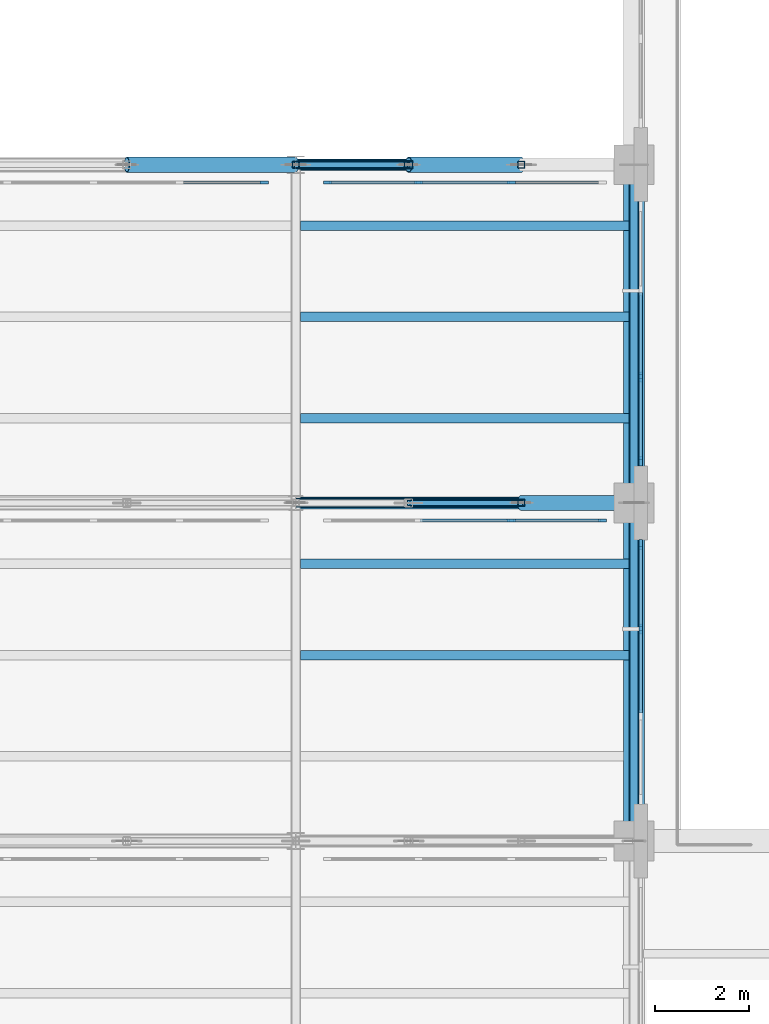
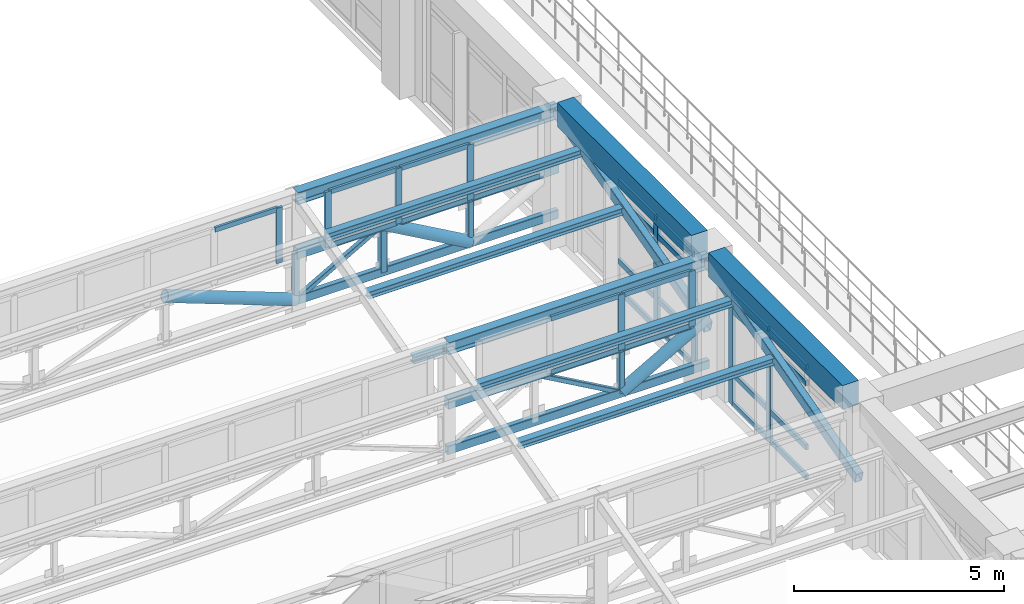
# One storey, part 35 of 98: 49 members, 11 beams, 5 elements without a shape of their own.
"""IFC4 building model written with IfcOpenShell, lengths in metres."""

from ifc_helpers import new_model, si_unit, direction, frame, origin, origin_2d, place, context, subcontext, project, spatial, rectangle, hollow_rectangle, hollow_circle, i_section, extrude, material, layer, layer_set, material_profile, profile_set, type_object, element, aggregate, save


model = new_model("IFC4")

# Units and contexts
model_context = context("Model", 3, precision=1e-05, world=origin(), true_north=direction((0.0, 1.0)))
body_context = subcontext(model_context, "Body", "Model", "MODEL_VIEW")
ifc_project = project(units=[si_unit("LENGTHUNIT", "METRE"), si_unit("AREAUNIT", "SQUARE_METRE"), si_unit("VOLUMEUNIT", "CUBIC_METRE"), si_unit("PLANEANGLEUNIT", "RADIAN"), si_unit("MASSUNIT", "GRAM", prefix="KILO")], contexts=[model_context])

# Site, building, storey
site_placement = place(None, origin())
site = spatial("IfcSite", under=ifc_project, at=site_placement, CompositionType="ELEMENT")
building_placement = place(site_placement, origin())
building = spatial("IfcBuilding", under=site, at=building_placement, Name="Solenvale Faculty of Natural Sciences", CompositionType="ELEMENT")
storey_placement = place(building_placement, frame((0.0, 0.0, 9.0)))
storey = spatial("IfcBuildingStorey", under=building, at=storey_placement, Name="L02", CompositionType="ELEMENT", Elevation=9.0)

# Beams
ifc_material_1 = material(Name="Steel S355", Category="steel")
ifc_material_profile_1 = material_profile(ifc_material_1, i_section(OverallWidth=0.202880859375, OverallDepth=0.202880859375, WebThickness=0.007080078125, FlangeThickness=0.010986328125, FilletRadius=0.010009765625, at=origin_2d()), Name="W200x46")
ifc_profile_set_1 = profile_set([ifc_material_profile_1], Name="Steel S355")
beam_type_1 = type_object("IfcBeamType", Name="BM-PRL-W200x46", PredefinedType="JOIST", material=ifc_profile_set_1)
for number, where, z_axis, x_axis, name in (
    (1, (28.89599609375, 32.760009765625, 2.781494140625), (1.0, 0.0, 0.0), (0.0, 1.0, 0.0), "V1 Sawtooth Purlin 5.2.2"),
    (2, (28.89599609375, 34.7041015625, 3.302490234375), (1.0, 0.0, 0.0), (0.0, 1.0, 0.0), "V1 Sawtooth Purlin 5.2.3"),
    (3, (28.89599609375, 37.800048828125, 2.202392578125), (1.0, 0.0, 0.0), (0.0, 1.0, 0.0), "V1 Sawtooth Purlin 6.2.1"),
    (4, (28.89599609375, 39.9599609375, 2.781494140625), (1.0, 0.0, 0.0), (0.0, 1.0, 0.0), "V1 Sawtooth Purlin 6.2.2"),
    (5, (28.89599609375, 41.904052734375, 3.302490234375), (1.0, 0.0, 0.0), (0.0, 1.0, 0.0), "V1 Sawtooth Purlin 6.2.3"),
):
    element("IfcBeam", number, at=place(storey_placement, frame(where, z_axis=z_axis, x_axis=x_axis)), inside=storey, type_object=beam_type_1, Name=name, PredefinedType="JOIST", context=body_context, shape_type="SweptSolid", body=[
        extrude(i_section(OverallWidth=0.202880859375, OverallDepth=0.202880859375, WebThickness=0.007080078125, FlangeThickness=0.010986328125, FilletRadius=0.010009765625, at=origin_2d()), origin(), (0.0, 0.0, 1.0), 7.10400390625),
    ])
ifc_material_profile_2 = material_profile(ifc_material_1, hollow_rectangle(XDim=0.202880859375, YDim=0.304931640625, WallThickness=0.0126953125, InnerFilletRadius=0.0126953125, OuterFilletRadius=0.025390625, at=origin_2d()), Name="HSS305x203x13")
ifc_profile_set_2 = profile_set([ifc_material_profile_2], Name="Steel S355")
beam_type_2 = type_object("IfcBeamType", Name="BM-RAF-HSS305", PredefinedType="BEAM", material=ifc_profile_set_2)
for number, where, z_axis, x_axis, name in (
    (6, (36.0, 28.800048828125, 1.719970703125), (0.0, 0.965901991803, 0.258907980238), (-1.0, 0.0, 0.0), "V1 Sawtooth End Rafter 5.2.E"),
    (7, (36.0, 36.0, 1.719970703125), (0.0, 0.965901991803, 0.258907980238), (-1.0, 0.0, 0.0), "V1 Sawtooth End Rafter 6.2.E"),
):
    element("IfcBeam", number, at=place(storey_placement, frame(where, z_axis=z_axis, x_axis=x_axis)), inside=storey, type_object=beam_type_2, Name=name, PredefinedType="BEAM", context=body_context, shape_type="SweptSolid", body=[
        extrude(hollow_rectangle(XDim=0.202880859375, YDim=0.304931640625, WallThickness=0.0126953125, InnerFilletRadius=0.0126953125, OuterFilletRadius=0.025390625, at=origin_2d()), origin(), (0.0, 0.0, 1.0), 7.4541015625),
    ])
ifc_material_2 = material(Name="Concrete 40 MPa", Category="concrete")
ifc_material_profile_3 = material_profile(ifc_material_2, rectangle(XDim=0.449951171875, YDim=0.699951171875, at=origin_2d()), Name="RC-BM-450x700")
ifc_profile_set_3 = profile_set([ifc_material_profile_3], Name="Concrete 40 MPa")
beam_type_3 = type_object("IfcBeamType", Name="BM-RC-450x700", PredefinedType="BEAM", material=ifc_profile_set_3)
for number, where, z_axis, x_axis, name in (
    (8, (36.0, 29.205078125, 3.8701171875), (0.0, 1.0, 0.0), (-1.0, 0.0, 0.0), "L02 Y-Girder X36.0 (28.8..36.0)"),
    (9, (36.0, 36.405029296875, 3.8701171875), (0.0, 1.0, 0.0), (-1.0, 0.0, 0.0), "L02 Y-Girder X36.0 (36.0..43.2)"),
):
    element("IfcBeam", number, at=place(storey_placement, frame(where, z_axis=z_axis, x_axis=x_axis)), inside=storey, type_object=beam_type_3, Name=name, PredefinedType="BEAM", context=body_context, shape_type="SweptSolid", body=[
        extrude(rectangle(XDim=0.449951171875, YDim=0.699951171875, at=origin_2d()), origin(), (0.0, 0.0, 1.0), 6.389892578125),
    ])
ifc_material_profile_4 = material_profile(ifc_material_1, i_section(OverallWidth=0.2548828125, OverallDepth=0.35693359375, WebThickness=0.010498046875, FlangeThickness=0.018310546875, FilletRadius=0.014892578125, at=origin_2d()), Name="W360x101")
ifc_profile_set_4 = profile_set([ifc_material_profile_4], Name="Steel S355")
beam_type_4 = type_object("IfcBeamType", Name="BM-STL-W360x101", PredefinedType="JOIST", material=ifc_profile_set_4)
for number, where, z_axis, x_axis, name in (
    (10, (28.800048828125, 36.0, 3.68896484375), (1.0, 0.0, 0.0), (0.0, 1.0, 0.0), "V1 Sawtooth Clerestory Ridge Beam 5.2"),
    (11, (28.800048828125, 43.199951171875, 3.68896484375), (1.0, 0.0, 0.0), (0.0, 1.0, 0.0), "V1 Sawtooth Clerestory Ridge Beam 6.2"),
):
    element("IfcBeam", number, at=place(storey_placement, frame(where, z_axis=z_axis, x_axis=x_axis)), inside=storey, type_object=beam_type_4, Name=name, PredefinedType="JOIST", context=body_context, shape_type="SweptSolid", body=[
        extrude(i_section(OverallWidth=0.2548828125, OverallDepth=0.35693359375, WebThickness=0.010498046875, FlangeThickness=0.018310546875, FilletRadius=0.014892578125, at=origin_2d()), origin(), (0.0, 0.0, 1.0), 7.199951171875),
    ])

# Curtain wall, members
ifc_material_3 = material(Name="Anodised bronze aluminium", Category="aluminium")
ifc_layer_1 = layer(ifc_material_3, 0.1650390625)
ifc_layer_set_1 = layer_set([ifc_layer_1], Name="Anodised bronze aluminium")
curtain_wall_type_1 = type_object("IfcCurtainWallType", Name="CW-SAW-CLR", PredefinedType="USERDEFINED", material=ifc_layer_set_1)
curtain_wall_1_placement = place(storey_placement, origin())
curtain_wall_1 = element("IfcCurtainWall", 12, at=curtain_wall_1_placement, inside=storey, type_object=curtain_wall_type_1, Name="L02 Curtain Wall SAW-V1-CW-5-2", ObjectType="NORTH LIGHT CLERESTORY", PredefinedType="USERDEFINED")
ifc_material_profile_5 = material_profile(ifc_material_3, rectangle(XDim=0.06494140625, YDim=0.175048828125, at=origin_2d()), Name="ALU-MUL-65x175")
ifc_profile_set_5 = profile_set([ifc_material_profile_5], Name="Anodised bronze aluminium")
member_type_1 = type_object("IfcMemberType", Name="CWM-ALU-65x175", PredefinedType="MULLION", material=ifc_profile_set_5)
member_1_placement = place(storey_placement, frame((35.327392578125, 35.6201171875, 2.22998046875), z_axis=(0.0, 0.0, 1.0), x_axis=(0.0, -1.0, 0.0)))
member_1 = element("IfcMember", 13, at=member_1_placement, type_object=member_type_1, Name="CW-05 mullion 1", PredefinedType="MULLION", context=body_context, shape_type="SweptSolid", body=[
    extrude(rectangle(XDim=0.06494140625, YDim=0.175048828125, at=origin_2d()), origin(), (0.0, 0.0, 1.0), 1.610107421875),
])
member_2_placement = place(storey_placement, frame((33.38671875, 35.6201171875, 2.22998046875), z_axis=(0.0, 0.0, 1.0), x_axis=(0.0, -1.0, 0.0)))
member_2 = element("IfcMember", 14, at=member_2_placement, type_object=member_type_1, Name="CW-05 mullion 2", PredefinedType="MULLION", context=body_context, shape_type="SweptSolid", body=[
    extrude(rectangle(XDim=0.06494140625, YDim=0.175048828125, at=origin_2d()), origin(), (0.0, 0.0, 1.0), 1.610107421875),
])

# Curtain wall, member
curtain_wall_2_placement = place(storey_placement, origin())
curtain_wall_2 = element("IfcCurtainWall", 15, at=curtain_wall_2_placement, inside=storey, type_object=curtain_wall_type_1, Name="L02 Curtain Wall SAW-V1-CW-6-1", ObjectType="NORTH LIGHT CLERESTORY", PredefinedType="USERDEFINED")
member_3_placement = place(storey_placement, frame((28.12744140625, 42.820068359375, 2.22998046875), z_axis=(0.0, 0.0, 1.0), x_axis=(0.0, -1.0, 0.0)))
member_3 = element("IfcMember", 16, at=member_3_placement, type_object=member_type_1, Name="CW-05 mullion 1", PredefinedType="MULLION", context=body_context, shape_type="SweptSolid", body=[
    extrude(rectangle(XDim=0.06494140625, YDim=0.175048828125, at=origin_2d()), origin(), (0.0, 0.0, 1.0), 1.610107421875),
])

# Curtain wall, members
curtain_wall_3_placement = place(storey_placement, origin())
curtain_wall_3 = element("IfcCurtainWall", 17, at=curtain_wall_3_placement, inside=storey, type_object=curtain_wall_type_1, Name="L02 Curtain Wall SAW-V1-CW-6-2", ObjectType="NORTH LIGHT CLERESTORY", PredefinedType="USERDEFINED")
member_4_placement = place(storey_placement, frame((33.38671875, 42.820068359375, 2.22998046875), z_axis=(0.0, 0.0, 1.0), x_axis=(0.0, -1.0, 0.0)))
member_4 = element("IfcMember", 18, at=member_4_placement, type_object=member_type_1, Name="CW-05 mullion 2", PredefinedType="MULLION", context=body_context, shape_type="SweptSolid", body=[
    extrude(rectangle(XDim=0.06494140625, YDim=0.175048828125, at=origin_2d()), origin(), (0.0, 0.0, 1.0), 1.610107421875),
])
member_5_placement = place(storey_placement, frame((31.413330078125, 42.820068359375, 2.22998046875), z_axis=(0.0, 0.0, 1.0), x_axis=(0.0, -1.0, 0.0)))
member_5 = element("IfcMember", 19, at=member_5_placement, type_object=member_type_1, Name="CW-05 mullion 3", PredefinedType="MULLION", context=body_context, shape_type="SweptSolid", body=[
    extrude(rectangle(XDim=0.06494140625, YDim=0.175048828125, at=origin_2d()), origin(), (0.0, 0.0, 1.0), 1.610107421875),
])
member_6_placement = place(storey_placement, frame((29.472412109375, 42.820068359375, 2.22998046875), z_axis=(0.0, 0.0, 1.0), x_axis=(0.0, -1.0, 0.0)))
member_6 = element("IfcMember", 20, at=member_6_placement, type_object=member_type_1, Name="CW-05 mullion 4", PredefinedType="MULLION", context=body_context, shape_type="SweptSolid", body=[
    extrude(rectangle(XDim=0.06494140625, YDim=0.175048828125, at=origin_2d()), origin(), (0.0, 0.0, 1.0), 1.610107421875),
])

ifc_layer_2 = layer(ifc_material_3, 0.215087890625)
ifc_layer_set_2 = layer_set([ifc_layer_2], Name="Anodised bronze aluminium")
curtain_wall_type_2 = type_object("IfcCurtainWallType", Name="CW-ATR-UNIT", PredefinedType="USERDEFINED", material=ifc_layer_set_2)
curtain_wall_4_placement = place(storey_placement, origin())
curtain_wall_4 = element("IfcCurtainWall", 21, at=curtain_wall_4_placement, inside=storey, type_object=curtain_wall_type_2, Name="L02 Curtain Wall CW-L02-P1-E9-B8", ObjectType="UNITISED CURTAIN WALL", PredefinedType="USERDEFINED")
ifc_material_profile_6 = material_profile(ifc_material_3, rectangle(XDim=0.074951171875, YDim=0.2099609375, at=origin_2d()), Name="ALU-MUL-75x210")
ifc_profile_set_6 = profile_set([ifc_material_profile_6], Name="Anodised bronze aluminium")
member_type_2 = type_object("IfcMemberType", Name="CWM-ALU-75x210", PredefinedType="MULLION", material=ifc_profile_set_6)
member_7_placement = place(storey_placement, frame((36.142578125, 38.683349609375, 0.0), z_axis=(0.0, 0.0, 1.0), x_axis=(1.0, 0.0, 0.0)))
member_7 = element("IfcMember", 22, at=member_7_placement, type_object=member_type_2, Name="CW-01 mullion 3", PredefinedType="MULLION", context=body_context, shape_type="SweptSolid", body=[
    extrude(rectangle(XDim=0.074951171875, YDim=0.2099609375, at=origin_2d()), origin(), (0.0, 0.0, 1.0), 3.260009765625),
])
member_8_placement = place(storey_placement, frame((36.142578125, 36.887451171875, 0.0), z_axis=(0.0, 0.0, 1.0), x_axis=(1.0, 0.0, 0.0)))
member_8 = element("IfcMember", 23, at=member_8_placement, type_object=member_type_2, Name="CW-01 mullion 4", PredefinedType="MULLION", context=body_context, shape_type="SweptSolid", body=[
    extrude(rectangle(XDim=0.074951171875, YDim=0.2099609375, at=origin_2d()), origin(), (0.0, 0.0, 1.0), 3.260009765625),
])

curtain_wall_5_placement = place(storey_placement, origin())
curtain_wall_5 = element("IfcCurtainWall", 24, at=curtain_wall_5_placement, inside=storey, type_object=curtain_wall_type_2, Name="L02 Curtain Wall CW-L02-P1-E9-B9", ObjectType="UNITISED CURTAIN WALL", PredefinedType="USERDEFINED")
member_9_placement = place(storey_placement, frame((36.142578125, 35.112548828125, 0.0), z_axis=(0.0, 0.0, 1.0), x_axis=(1.0, 0.0, 0.0)))
member_9 = element("IfcMember", 25, at=member_9_placement, type_object=member_type_2, Name="CW-01 mullion 1", PredefinedType="MULLION", context=body_context, shape_type="SweptSolid", body=[
    extrude(rectangle(XDim=0.074951171875, YDim=0.2099609375, at=origin_2d()), origin(), (0.0, 0.0, 1.0), 3.260009765625),
])
member_10_placement = place(storey_placement, frame((36.142578125, 33.316650390625, 0.0), z_axis=(0.0, 0.0, 1.0), x_axis=(1.0, 0.0, 0.0)))
member_10 = element("IfcMember", 26, at=member_10_placement, type_object=member_type_2, Name="CW-01 mullion 2", PredefinedType="MULLION", context=body_context, shape_type="SweptSolid", body=[
    extrude(rectangle(XDim=0.074951171875, YDim=0.2099609375, at=origin_2d()), origin(), (0.0, 0.0, 1.0), 3.260009765625),
])

# Member
ifc_material_profile_7 = material_profile(ifc_material_3, rectangle(XDim=0.06494140625, YDim=0.135009765625, at=origin_2d()), Name="ALU-TRN-65x135")
ifc_profile_set_7 = profile_set([ifc_material_profile_7], Name="Anodised bronze aluminium")
member_type_3 = type_object("IfcMemberType", Name="CWT-ALU-65x135", PredefinedType="USERDEFINED", material=ifc_profile_set_7)
member_11_placement = place(storey_placement, frame((35.294921875, 35.6201171875, 2.262451171875), z_axis=(-1.0, 0.0, 0.0), x_axis=(0.0, -1.0, 0.0)))
member_11 = element("IfcMember", 27, at=member_11_placement, type_object=member_type_3, Name="CW-05 transom 1.1", ObjectType="TRANSOM", PredefinedType="USERDEFINED", context=body_context, shape_type="SweptSolid", body=[
    extrude(rectangle(XDim=0.06494140625, YDim=0.135009765625, at=origin_2d()), origin(), (0.0, 0.0, 1.0), 1.875732421875),
])

member_12_placement = place(storey_placement, frame((35.294921875, 35.6201171875, 3.8076171875), z_axis=(-1.0, 0.0, 0.0), x_axis=(0.0, -1.0, 0.0)))
member_12 = element("IfcMember", 28, at=member_12_placement, type_object=member_type_3, Name="CW-05 transom 1.2", ObjectType="TRANSOM", PredefinedType="USERDEFINED", context=body_context, shape_type="SweptSolid", body=[
    extrude(rectangle(XDim=0.06494140625, YDim=0.135009765625, at=origin_2d()), origin(), (0.0, 0.0, 1.0), 1.875732421875),
])

member_13_placement = place(storey_placement, frame((33.354248046875, 35.6201171875, 2.262451171875), z_axis=(-1.0, 0.0, 0.0), x_axis=(0.0, -1.0, 0.0)))
member_13 = element("IfcMember", 29, at=member_13_placement, type_object=member_type_3, Name="CW-05 transom 2.1", ObjectType="TRANSOM", PredefinedType="USERDEFINED", context=body_context, shape_type="SweptSolid", body=[
    extrude(rectangle(XDim=0.06494140625, YDim=0.135009765625, at=origin_2d()), origin(), (0.0, 0.0, 1.0), 1.908447265625),
])

member_14_placement = place(storey_placement, frame((33.354248046875, 35.6201171875, 3.8076171875), z_axis=(-1.0, 0.0, 0.0), x_axis=(0.0, -1.0, 0.0)))
member_14 = element("IfcMember", 30, at=member_14_placement, type_object=member_type_3, Name="CW-05 transom 2.2", ObjectType="TRANSOM", PredefinedType="USERDEFINED", context=body_context, shape_type="SweptSolid", body=[
    extrude(rectangle(XDim=0.06494140625, YDim=0.135009765625, at=origin_2d()), origin(), (0.0, 0.0, 1.0), 1.908447265625),
])

aggregate(curtain_wall_1, [member_1, member_2, member_11, member_12, member_13, member_14])

member_15_placement = place(storey_placement, frame((28.094970703125, 42.820068359375, 3.8076171875), z_axis=(-1.0, 0.0, 0.0), x_axis=(0.0, -1.0, 0.0)))
member_15 = element("IfcMember", 31, at=member_15_placement, type_object=member_type_3, Name="CW-05 transom 1.2", ObjectType="TRANSOM", PredefinedType="USERDEFINED", context=body_context, shape_type="SweptSolid", body=[
    extrude(rectangle(XDim=0.06494140625, YDim=0.135009765625, at=origin_2d()), origin(), (0.0, 0.0, 1.0), 1.737060546875),
])

aggregate(curtain_wall_2, [member_3, member_15])

member_16_placement = place(storey_placement, frame((35.294921875, 42.820068359375, 2.262451171875), z_axis=(-1.0, 0.0, 0.0), x_axis=(0.0, -1.0, 0.0)))
member_16 = element("IfcMember", 32, at=member_16_placement, type_object=member_type_3, Name="CW-05 transom 1.1", ObjectType="TRANSOM", PredefinedType="USERDEFINED", context=body_context, shape_type="SweptSolid", body=[
    extrude(rectangle(XDim=0.06494140625, YDim=0.135009765625, at=origin_2d()), origin(), (0.0, 0.0, 1.0), 1.875732421875),
])

member_17_placement = place(storey_placement, frame((33.354248046875, 42.820068359375, 2.262451171875), z_axis=(-1.0, 0.0, 0.0), x_axis=(0.0, -1.0, 0.0)))
member_17 = element("IfcMember", 33, at=member_17_placement, type_object=member_type_3, Name="CW-05 transom 2.1", ObjectType="TRANSOM", PredefinedType="USERDEFINED", context=body_context, shape_type="SweptSolid", body=[
    extrude(rectangle(XDim=0.06494140625, YDim=0.135009765625, at=origin_2d()), origin(), (0.0, 0.0, 1.0), 1.908447265625),
])

member_18_placement = place(storey_placement, frame((33.354248046875, 42.820068359375, 3.8076171875), z_axis=(-1.0, 0.0, 0.0), x_axis=(0.0, -1.0, 0.0)))
member_18 = element("IfcMember", 34, at=member_18_placement, type_object=member_type_3, Name="CW-05 transom 2.2", ObjectType="TRANSOM", PredefinedType="USERDEFINED", context=body_context, shape_type="SweptSolid", body=[
    extrude(rectangle(XDim=0.06494140625, YDim=0.135009765625, at=origin_2d()), origin(), (0.0, 0.0, 1.0), 1.908447265625),
])

member_19_placement = place(storey_placement, frame((31.380859375, 42.820068359375, 2.262451171875), z_axis=(-1.0, 0.0, 0.0), x_axis=(0.0, -1.0, 0.0)))
member_19 = element("IfcMember", 35, at=member_19_placement, type_object=member_type_3, Name="CW-05 transom 3.1", ObjectType="TRANSOM", PredefinedType="USERDEFINED", context=body_context, shape_type="SweptSolid", body=[
    extrude(rectangle(XDim=0.06494140625, YDim=0.135009765625, at=origin_2d()), origin(), (0.0, 0.0, 1.0), 1.8759765625),
])

member_20_placement = place(storey_placement, frame((31.380859375, 42.820068359375, 3.8076171875), z_axis=(-1.0, 0.0, 0.0), x_axis=(0.0, -1.0, 0.0)))
member_20 = element("IfcMember", 36, at=member_20_placement, type_object=member_type_3, Name="CW-05 transom 3.2", ObjectType="TRANSOM", PredefinedType="USERDEFINED", context=body_context, shape_type="SweptSolid", body=[
    extrude(rectangle(XDim=0.06494140625, YDim=0.135009765625, at=origin_2d()), origin(), (0.0, 0.0, 1.0), 1.8759765625),
])

aggregate(curtain_wall_3, [member_4, member_5, member_6, member_16, member_17, member_18, member_19, member_20])

ifc_material_profile_8 = material_profile(ifc_material_3, rectangle(XDim=0.074951171875, YDim=0.155029296875, at=origin_2d()), Name="ALU-TRN-75x155")
ifc_profile_set_8 = profile_set([ifc_material_profile_8], Name="Anodised bronze aluminium")
member_type_4 = type_object("IfcMemberType", Name="CWT-ALU-75x155", PredefinedType="USERDEFINED", material=ifc_profile_set_8)
member_21_placement = place(storey_placement, frame((36.142578125, 40.479248046875, 0.03759765625), z_axis=(0.0, -1.0, 0.0), x_axis=(1.0, 0.0, 0.0)))
member_21 = element("IfcMember", 37, at=member_21_placement, type_object=member_type_4, Name="CW-01 transom 2.1", ObjectType="TRANSOM", PredefinedType="USERDEFINED", context=body_context, shape_type="SweptSolid", body=[
    extrude(rectangle(XDim=0.074951171875, YDim=0.155029296875, at=origin_2d()), origin(), (0.0, 0.0, 1.0), 1.75830078125),
])

member_22_placement = place(storey_placement, frame((36.142578125, 40.479248046875, 0.89990234375), z_axis=(0.0, -1.0, 0.0), x_axis=(1.0, 0.0, 0.0)))
member_22 = element("IfcMember", 38, at=member_22_placement, type_object=member_type_4, Name="CW-01 transom 2.2", ObjectType="TRANSOM", PredefinedType="USERDEFINED", context=body_context, shape_type="SweptSolid", body=[
    extrude(rectangle(XDim=0.074951171875, YDim=0.155029296875, at=origin_2d()), origin(), (0.0, 0.0, 1.0), 1.75830078125),
])

member_23_placement = place(storey_placement, frame((36.142578125, 40.479248046875, 2.760009765625), z_axis=(0.0, -1.0, 0.0), x_axis=(1.0, 0.0, 0.0)))
member_23 = element("IfcMember", 39, at=member_23_placement, type_object=member_type_4, Name="CW-01 transom 2.3", ObjectType="TRANSOM", PredefinedType="USERDEFINED", context=body_context, shape_type="SweptSolid", body=[
    extrude(rectangle(XDim=0.074951171875, YDim=0.155029296875, at=origin_2d()), origin(), (0.0, 0.0, 1.0), 1.75830078125),
])

member_24_placement = place(storey_placement, frame((36.142578125, 40.479248046875, 3.222412109375), z_axis=(0.0, -1.0, 0.0), x_axis=(1.0, 0.0, 0.0)))
member_24 = element("IfcMember", 40, at=member_24_placement, type_object=member_type_4, Name="CW-01 transom 2.4", ObjectType="TRANSOM", PredefinedType="USERDEFINED", context=body_context, shape_type="SweptSolid", body=[
    extrude(rectangle(XDim=0.074951171875, YDim=0.155029296875, at=origin_2d()), origin(), (0.0, 0.0, 1.0), 1.75830078125),
])

member_25_placement = place(storey_placement, frame((36.142578125, 38.645751953125, 0.03759765625), z_axis=(0.0, -1.0, 0.0), x_axis=(1.0, 0.0, 0.0)))
member_25 = element("IfcMember", 41, at=member_25_placement, type_object=member_type_4, Name="CW-01 transom 3.1", ObjectType="TRANSOM", PredefinedType="USERDEFINED", context=body_context, shape_type="SweptSolid", body=[
    extrude(rectangle(XDim=0.074951171875, YDim=0.155029296875, at=origin_2d()), origin(), (0.0, 0.0, 1.0), 1.720703125),
])

member_26_placement = place(storey_placement, frame((36.142578125, 38.645751953125, 0.89990234375), z_axis=(0.0, -1.0, 0.0), x_axis=(1.0, 0.0, 0.0)))
member_26 = element("IfcMember", 42, at=member_26_placement, type_object=member_type_4, Name="CW-01 transom 3.2", ObjectType="TRANSOM", PredefinedType="USERDEFINED", context=body_context, shape_type="SweptSolid", body=[
    extrude(rectangle(XDim=0.074951171875, YDim=0.155029296875, at=origin_2d()), origin(), (0.0, 0.0, 1.0), 1.720703125),
])

member_27_placement = place(storey_placement, frame((36.142578125, 38.645751953125, 2.760009765625), z_axis=(0.0, -1.0, 0.0), x_axis=(1.0, 0.0, 0.0)))
member_27 = element("IfcMember", 43, at=member_27_placement, type_object=member_type_4, Name="CW-01 transom 3.3", ObjectType="TRANSOM", PredefinedType="USERDEFINED", context=body_context, shape_type="SweptSolid", body=[
    extrude(rectangle(XDim=0.074951171875, YDim=0.155029296875, at=origin_2d()), origin(), (0.0, 0.0, 1.0), 1.720703125),
])

member_28_placement = place(storey_placement, frame((36.142578125, 38.645751953125, 3.222412109375), z_axis=(0.0, -1.0, 0.0), x_axis=(1.0, 0.0, 0.0)))
member_28 = element("IfcMember", 44, at=member_28_placement, type_object=member_type_4, Name="CW-01 transom 3.4", ObjectType="TRANSOM", PredefinedType="USERDEFINED", context=body_context, shape_type="SweptSolid", body=[
    extrude(rectangle(XDim=0.074951171875, YDim=0.155029296875, at=origin_2d()), origin(), (0.0, 0.0, 1.0), 1.720703125),
])

aggregate(curtain_wall_4, [member_7, member_8, member_21, member_22, member_23, member_24, member_25, member_26, member_27, member_28])

member_29_placement = place(storey_placement, frame((36.142578125, 35.074951171875, 0.03759765625), z_axis=(0.0, -1.0, 0.0), x_axis=(1.0, 0.0, 0.0)))
member_29 = element("IfcMember", 45, at=member_29_placement, type_object=member_type_4, Name="CW-01 transom 1.1", ObjectType="TRANSOM", PredefinedType="USERDEFINED", context=body_context, shape_type="SweptSolid", body=[
    extrude(rectangle(XDim=0.074951171875, YDim=0.155029296875, at=origin_2d()), origin(), (0.0, 0.0, 1.0), 1.720703125),
])

member_30_placement = place(storey_placement, frame((36.142578125, 35.074951171875, 0.89990234375), z_axis=(0.0, -1.0, 0.0), x_axis=(1.0, 0.0, 0.0)))
member_30 = element("IfcMember", 46, at=member_30_placement, type_object=member_type_4, Name="CW-01 transom 1.2", ObjectType="TRANSOM", PredefinedType="USERDEFINED", context=body_context, shape_type="SweptSolid", body=[
    extrude(rectangle(XDim=0.074951171875, YDim=0.155029296875, at=origin_2d()), origin(), (0.0, 0.0, 1.0), 1.720703125),
])

member_31_placement = place(storey_placement, frame((36.142578125, 35.074951171875, 2.760009765625), z_axis=(0.0, -1.0, 0.0), x_axis=(1.0, 0.0, 0.0)))
member_31 = element("IfcMember", 47, at=member_31_placement, type_object=member_type_4, Name="CW-01 transom 1.3", ObjectType="TRANSOM", PredefinedType="USERDEFINED", context=body_context, shape_type="SweptSolid", body=[
    extrude(rectangle(XDim=0.074951171875, YDim=0.155029296875, at=origin_2d()), origin(), (0.0, 0.0, 1.0), 1.720703125),
])

member_32_placement = place(storey_placement, frame((36.142578125, 35.074951171875, 3.222412109375), z_axis=(0.0, -1.0, 0.0), x_axis=(1.0, 0.0, 0.0)))
member_32 = element("IfcMember", 48, at=member_32_placement, type_object=member_type_4, Name="CW-01 transom 1.4", ObjectType="TRANSOM", PredefinedType="USERDEFINED", context=body_context, shape_type="SweptSolid", body=[
    extrude(rectangle(XDim=0.074951171875, YDim=0.155029296875, at=origin_2d()), origin(), (0.0, 0.0, 1.0), 1.720703125),
])

member_33_placement = place(storey_placement, frame((36.142578125, 33.279052734375, 0.03759765625), z_axis=(0.0, -1.0, 0.0), x_axis=(1.0, 0.0, 0.0)))
member_33 = element("IfcMember", 49, at=member_33_placement, type_object=member_type_4, Name="CW-01 transom 2.1", ObjectType="TRANSOM", PredefinedType="USERDEFINED", context=body_context, shape_type="SweptSolid", body=[
    extrude(rectangle(XDim=0.074951171875, YDim=0.155029296875, at=origin_2d()), origin(), (0.0, 0.0, 1.0), 1.75830078125),
])

member_34_placement = place(storey_placement, frame((36.142578125, 33.279052734375, 0.89990234375), z_axis=(0.0, -1.0, 0.0), x_axis=(1.0, 0.0, 0.0)))
member_34 = element("IfcMember", 50, at=member_34_placement, type_object=member_type_4, Name="CW-01 transom 2.2", ObjectType="TRANSOM", PredefinedType="USERDEFINED", context=body_context, shape_type="SweptSolid", body=[
    extrude(rectangle(XDim=0.074951171875, YDim=0.155029296875, at=origin_2d()), origin(), (0.0, 0.0, 1.0), 1.75830078125),
])

member_35_placement = place(storey_placement, frame((36.142578125, 33.279052734375, 2.760009765625), z_axis=(0.0, -1.0, 0.0), x_axis=(1.0, 0.0, 0.0)))
member_35 = element("IfcMember", 51, at=member_35_placement, type_object=member_type_4, Name="CW-01 transom 2.3", ObjectType="TRANSOM", PredefinedType="USERDEFINED", context=body_context, shape_type="SweptSolid", body=[
    extrude(rectangle(XDim=0.074951171875, YDim=0.155029296875, at=origin_2d()), origin(), (0.0, 0.0, 1.0), 1.75830078125),
])

member_36_placement = place(storey_placement, frame((36.142578125, 33.279052734375, 3.222412109375), z_axis=(0.0, -1.0, 0.0), x_axis=(1.0, 0.0, 0.0)))
member_36 = element("IfcMember", 52, at=member_36_placement, type_object=member_type_4, Name="CW-01 transom 2.4", ObjectType="TRANSOM", PredefinedType="USERDEFINED", context=body_context, shape_type="SweptSolid", body=[
    extrude(rectangle(XDim=0.074951171875, YDim=0.155029296875, at=origin_2d()), origin(), (0.0, 0.0, 1.0), 1.75830078125),
])

aggregate(curtain_wall_5, [member_9, member_10, member_29, member_30, member_31, member_32, member_33, member_34, member_35, member_36])

# Members
ifc_material_profile_9 = material_profile(ifc_material_1, hollow_circle(Radius=0.161865234375, WallThickness=0.0126953125, at=origin_2d()), Name="HSS324x13")
ifc_profile_set_9 = profile_set([ifc_material_profile_9], Name="Steel S355")
member_type_5 = type_object("IfcMemberType", Name="MB-BRC-CHS324", PredefinedType="BRACE", material=ifc_profile_set_9)
member_37_placement = place(storey_placement, frame((33.60009765625, 36.0, 0.68994140625), z_axis=(0.869996876503, 0.0, 0.493057232859), x_axis=(0.0, 1.0, 0.0)))
element("IfcMember", 53, at=member_37_placement, inside=storey, type_object=member_type_5, Name="V1 Truss 5.2 Diagonal 3", PredefinedType="BRACE", context=body_context, shape_type="SweptSolid", body=[
    extrude(hollow_circle(Radius=0.161865234375, WallThickness=0.0126953125, at=origin_2d()), origin(), (0.0, 0.0, 1.0), 2.758544921875),
])
member_38_placement = place(storey_placement, frame((25.199951171875, 43.199951171875, 2.050048828125), z_axis=(0.935466034784, 0.0, -0.353416606522), x_axis=(0.0, 1.0, 0.0)))
element("IfcMember", 54, at=member_38_placement, inside=storey, type_object=member_type_5, Name="V1 Truss 6.1 Diagonal 8", PredefinedType="BRACE", context=body_context, shape_type="SweptSolid", body=[
    extrude(hollow_circle(Radius=0.161865234375, WallThickness=0.0126953125, at=origin_2d()), origin(), (0.0, 0.0, 1.0), 3.848388671875),
])
member_39_placement = place(storey_placement, frame((31.199951171875, 43.199951171875, 2.050048828125), z_axis=(0.870018389885, 0.0, -0.49301927068), x_axis=(0.0, 1.0, 0.0)))
element("IfcMember", 55, at=member_39_placement, inside=storey, type_object=member_type_5, Name="V1 Truss 6.2 Diagonal 2", PredefinedType="BRACE", context=body_context, shape_type="SweptSolid", body=[
    extrude(hollow_circle(Radius=0.161865234375, WallThickness=0.0126953125, at=origin_2d()), origin(), (0.0, 0.0, 1.0), 2.7587890625),
])
ifc_material_profile_10 = material_profile(ifc_material_1, hollow_rectangle(XDim=0.126953125, YDim=0.126953125, WallThickness=0.008056640625, InnerFilletRadius=0.008056640625, OuterFilletRadius=0.01611328125, at=origin_2d()), Name="HSS127x127x8.0")
ifc_profile_set_10 = profile_set([ifc_material_profile_10], Name="Steel S355")
member_type_6 = type_object("IfcMemberType", Name="MB-BRC-HSS127", PredefinedType="BRACE", material=ifc_profile_set_10)
member_40_placement = place(storey_placement, frame((31.199951171875, 36.0, 2.050048828125), z_axis=(0.870018389885, 0.0, -0.49301927068), x_axis=(0.0, 1.0, 0.0)))
element("IfcMember", 56, at=member_40_placement, inside=storey, type_object=member_type_6, Name="V1 Truss 5.2 Diagonal 2", PredefinedType="BRACE", context=body_context, shape_type="SweptSolid", body=[
    extrude(hollow_rectangle(XDim=0.126953125, YDim=0.126953125, WallThickness=0.008056640625, InnerFilletRadius=0.008056640625, OuterFilletRadius=0.01611328125, at=origin_2d()), origin(), (0.0, 0.0, 1.0), 2.7587890625),
])
member_41_placement = place(storey_placement, frame((28.800048828125, 43.199951171875, 0.68994140625), z_axis=(0.869996876503, 0.0, 0.493057232859), x_axis=(0.0, 1.0, 0.0)))
element("IfcMember", 57, at=member_41_placement, inside=storey, type_object=member_type_6, Name="V1 Truss 6.2 Diagonal 1", PredefinedType="BRACE", context=body_context, shape_type="SweptSolid", body=[
    extrude(hollow_rectangle(XDim=0.126953125, YDim=0.126953125, WallThickness=0.008056640625, InnerFilletRadius=0.008056640625, OuterFilletRadius=0.01611328125, at=origin_2d()), origin(), (0.0, 0.0, 1.0), 2.758544921875),
])
ifc_material_profile_11 = material_profile(ifc_material_1, hollow_rectangle(XDim=0.152099609375, YDim=0.25390625, WallThickness=0.010986328125, InnerFilletRadius=0.010986328125, OuterFilletRadius=0.022216796875, at=origin_2d()), Name="HSS254x152x11")
ifc_profile_set_11 = profile_set([ifc_material_profile_11], Name="Steel S355")
member_type_7 = type_object("IfcMemberType", Name="MB-CHD-HSS254", PredefinedType="CHORD", material=ifc_profile_set_11)
for number, where, z_axis, x_axis, name in (
    (58, (28.800048828125, 36.0, 0.68994140625), (1.0, 0.0, 0.0), (0.0, 1.0, 0.0), "V1 Truss 5.2 Bottom Chord"),
    (59, (28.800048828125, 43.199951171875, 0.68994140625), (1.0, 0.0, 0.0), (0.0, 1.0, 0.0), "V1 Truss 6.2 Bottom Chord"),
):
    element("IfcMember", number, at=place(storey_placement, frame(where, z_axis=z_axis, x_axis=x_axis)), inside=storey, type_object=member_type_7, Name=name, PredefinedType="CHORD", context=body_context, shape_type="SweptSolid", body=[
        extrude(hollow_rectangle(XDim=0.152099609375, YDim=0.25390625, WallThickness=0.010986328125, InnerFilletRadius=0.010986328125, OuterFilletRadius=0.022216796875, at=origin_2d()), origin(), (0.0, 0.0, 1.0), 7.199951171875),
    ])
ifc_material_profile_12 = material_profile(ifc_material_1, hollow_rectangle(XDim=0.202880859375, YDim=0.304931640625, WallThickness=0.0126953125, InnerFilletRadius=0.0126953125, OuterFilletRadius=0.025390625, at=origin_2d()), Name="HSS305x203x13")
ifc_profile_set_12 = profile_set([ifc_material_profile_12], Name="Steel S355")
member_type_8 = type_object("IfcMemberType", Name="MB-CHD-HSS305", PredefinedType="CHORD", material=ifc_profile_set_12)
for number, where, z_axis, x_axis, name in (
    (60, (28.800048828125, 36.0, 2.050048828125), (1.0, 0.0, 0.0), (0.0, 1.0, 0.0), "V1 Truss 5.2 Top Chord"),
    (61, (28.800048828125, 43.199951171875, 2.050048828125), (1.0, 0.0, 0.0), (0.0, 1.0, 0.0), "V1 Truss 6.2 Top Chord"),
):
    element("IfcMember", number, at=place(storey_placement, frame(where, z_axis=z_axis, x_axis=x_axis)), inside=storey, type_object=member_type_8, Name=name, PredefinedType="CHORD", context=body_context, shape_type="SweptSolid", body=[
        extrude(hollow_rectangle(XDim=0.202880859375, YDim=0.304931640625, WallThickness=0.0126953125, InnerFilletRadius=0.0126953125, OuterFilletRadius=0.025390625, at=origin_2d()), origin(), (0.0, 0.0, 1.0), 7.199951171875),
    ])
ifc_material_profile_13 = material_profile(ifc_material_1, hollow_rectangle(XDim=0.152099609375, YDim=0.152099609375, WallThickness=0.009521484375, InnerFilletRadius=0.009521484375, OuterFilletRadius=0.01904296875, at=origin_2d()), Name="HSS152x152x9.5")
ifc_profile_set_13 = profile_set([ifc_material_profile_13], Name="Steel S355")
member_type_9 = type_object("IfcMemberType", Name="MB-STR-HSS152", PredefinedType="STRUT", material=ifc_profile_set_13)
for number, where, z_axis, x_axis, name in (
    (62, (33.60009765625, 36.0, 0.68994140625), (0.0, 0.0, 1.0), (1.0, 0.0, 0.0), "V1 Truss 5.2 Strut 2"),
    (63, (28.800048828125, 43.199951171875, 0.68994140625), (0.0, 0.0, 1.0), (1.0, 0.0, 0.0), "V1 Truss 6.1 Strut 8"),
    (64, (33.60009765625, 43.199951171875, 0.68994140625), (0.0, 0.0, 1.0), (1.0, 0.0, 0.0), "V1 Truss 6.2 Strut 2"),
):
    element("IfcMember", number, at=place(storey_placement, frame(where, z_axis=z_axis, x_axis=x_axis)), inside=storey, type_object=member_type_9, Name=name, PredefinedType="STRUT", context=body_context, shape_type="SweptSolid", body=[
        extrude(hollow_rectangle(XDim=0.152099609375, YDim=0.152099609375, WallThickness=0.009521484375, InnerFilletRadius=0.009521484375, OuterFilletRadius=0.01904296875, at=origin_2d()), origin(), (0.0, 0.0, 1.0), 1.360107421875),
    ])
ifc_material_profile_14 = material_profile(ifc_material_1, hollow_rectangle(XDim=0.177978515625, YDim=0.177978515625, WallThickness=0.009521484375, InnerFilletRadius=0.009521484375, OuterFilletRadius=0.01904296875, at=origin_2d()), Name="HSS178x178x9.5")
ifc_profile_set_14 = profile_set([ifc_material_profile_14], Name="Steel S355")
member_type_10 = type_object("IfcMemberType", Name="MB-STR-HSS178", PredefinedType="STRUT", material=ifc_profile_set_14)
member_42_placement = place(storey_placement, frame((31.199951171875, 43.199951171875, 0.68994140625), z_axis=(0.0, 0.0, 1.0), x_axis=(1.0, 0.0, 0.0)))
element("IfcMember", 65, at=member_42_placement, inside=storey, type_object=member_type_10, Name="V1 Truss 6.2 Strut 1", PredefinedType="STRUT", context=body_context, shape_type="SweptSolid", body=[
    extrude(hollow_rectangle(XDim=0.177978515625, YDim=0.177978515625, WallThickness=0.009521484375, InnerFilletRadius=0.009521484375, OuterFilletRadius=0.01904296875, at=origin_2d()), origin(), (0.0, 0.0, 1.0), 1.360107421875),
])

save(model, "model.ifc")
